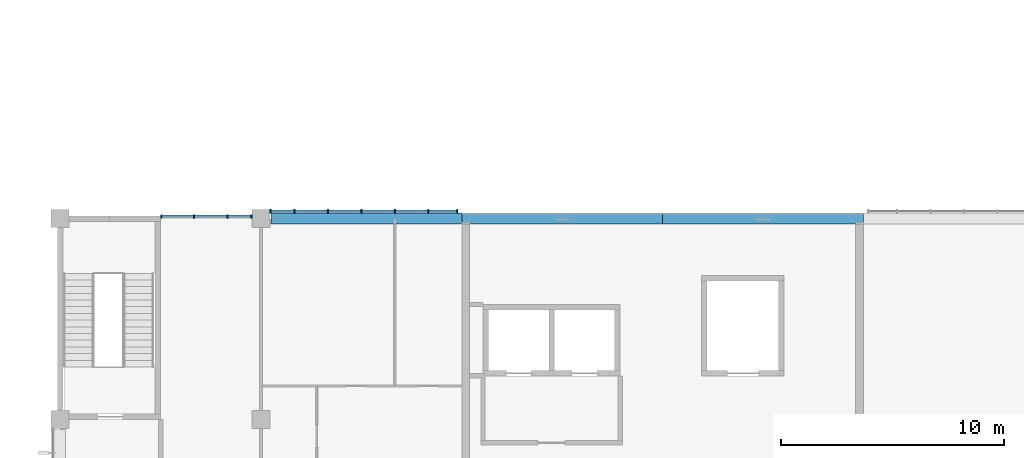
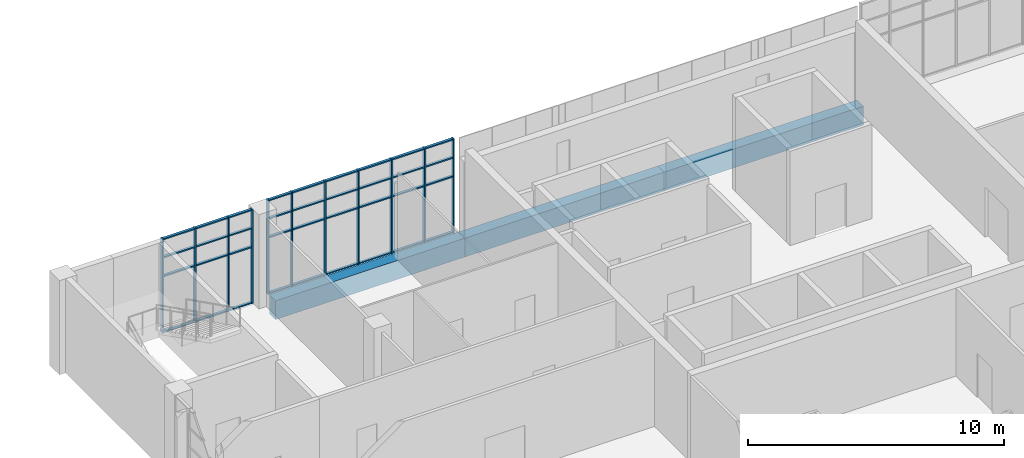
# One storey, part 12 of 40: 47 members, 3 beams, 2 elements without a shape of their own.
"""IFC4 building model written with IfcOpenShell, lengths in metres."""

from ifc_helpers import new_model, si_unit, direction, frame, origin, origin_2d, place, context, subcontext, project, spatial, rectangle, extrude, material, layer, layer_set, material_profile, profile_set, type_object, element, aggregate, save


model = new_model("IFC4")

# Units and contexts
model_context = context("Model", 3, precision=1e-05, world=origin(), true_north=direction((0.0, 1.0)))
body_context = subcontext(model_context, "Body", "Model", "MODEL_VIEW")
ifc_project = project(units=[si_unit("LENGTHUNIT", "METRE"), si_unit("AREAUNIT", "SQUARE_METRE"), si_unit("VOLUMEUNIT", "CUBIC_METRE"), si_unit("PLANEANGLEUNIT", "RADIAN"), si_unit("MASSUNIT", "GRAM", prefix="KILO")], contexts=[model_context])

# Site, building, storey
site_placement = place(None, origin())
site = spatial("IfcSite", under=ifc_project, at=site_placement, CompositionType="ELEMENT")
building_placement = place(site_placement, origin())
building = spatial("IfcBuilding", under=site, at=building_placement, Name="Guidao Yard Department Store", CompositionType="ELEMENT")
storey_placement = place(building_placement, frame((0.0, 0.0, 24.0)))
storey = spatial("IfcBuildingStorey", under=building, at=storey_placement, Name="L05", CompositionType="ELEMENT", Elevation=24.0)

# Curtain wall, members
ifc_material_1 = material(Name="Aluminium and glass", Category="aluminium")
ifc_layer = layer(ifc_material_1, 0.159912109375)
ifc_layer_set = layer_set([ifc_layer], Name="Unitised curtain wall CW4 1500 module")
curtain_wall_type = type_object("IfcCurtainWallType", Name="Unitised curtain wall CW4 1500 module", PredefinedType="NOTDEFINED", material=ifc_layer_set)
curtain_wall_1_placement = place(storey_placement, origin())
curtain_wall_1 = element("IfcCurtainWall", 1, at=curtain_wall_1_placement, inside=storey, type_object=curtain_wall_type, Name="Unitised curtain wall", PredefinedType="NOTDEFINED")
ifc_material_2 = material(Name="Aluminium 6063-T5", Category="aluminium")
ifc_material_profile_1 = material_profile(ifc_material_2, rectangle(XDim=0.06005859375, YDim=0.159912109375, at=origin_2d()), Name="Mullion M1 60 x 160 aluminium pressure plate")
ifc_profile_set_1 = profile_set([ifc_material_profile_1], Name="Aluminium 6063-T5")
member_type_1 = type_object("IfcMemberType", Name="Mullion M1 60 x 160 aluminium pressure plate", PredefinedType="MULLION", material=ifc_profile_set_1)
member_1_placement = place(storey_placement, frame((130.530029296875, 27.10009765625, 0.0), z_axis=(0.0, 0.0, 1.0), x_axis=(1.0, 0.0, 0.0)))
member_1 = element("IfcMember", 2, at=member_1_placement, type_object=member_type_1, Name="CW-OW-L05-06 mullion 1", PredefinedType="MULLION", context=body_context, shape_type="SweptSolid", body=[
    extrude(rectangle(XDim=0.06005859375, YDim=0.159912109375, at=origin_2d()), origin(), (0.0, 0.0, 1.0), 4.5),
])
member_2_placement = place(storey_placement, frame((132.0, 27.10009765625, 0.0), z_axis=(0.0, 0.0, 1.0), x_axis=(1.0, 0.0, 0.0)))
member_2 = element("IfcMember", 3, at=member_2_placement, type_object=member_type_1, Name="CW-OW-L05-06 mullion 2", PredefinedType="MULLION", context=body_context, shape_type="SweptSolid", body=[
    extrude(rectangle(XDim=0.06005859375, YDim=0.159912109375, at=origin_2d()), origin(), (0.0, 0.0, 1.0), 4.5),
])
member_3_placement = place(storey_placement, frame((133.5, 27.10009765625, 0.0), z_axis=(0.0, 0.0, 1.0), x_axis=(1.0, 0.0, 0.0)))
member_3 = element("IfcMember", 4, at=member_3_placement, type_object=member_type_1, Name="CW-OW-L05-06 mullion 3", PredefinedType="MULLION", context=body_context, shape_type="SweptSolid", body=[
    extrude(rectangle(XDim=0.06005859375, YDim=0.159912109375, at=origin_2d()), origin(), (0.0, 0.0, 1.0), 4.5),
])
member_4_placement = place(storey_placement, frame((134.570068359375, 27.10009765625, 0.0), z_axis=(0.0, 0.0, 1.0), x_axis=(1.0, 0.0, 0.0)))
member_4 = element("IfcMember", 5, at=member_4_placement, type_object=member_type_1, Name="CW-OW-L05-06 mullion 4", PredefinedType="MULLION", context=body_context, shape_type="SweptSolid", body=[
    extrude(rectangle(XDim=0.06005859375, YDim=0.159912109375, at=origin_2d()), origin(), (0.0, 0.0, 1.0), 4.5),
])

curtain_wall_2_placement = place(storey_placement, origin())
curtain_wall_2 = element("IfcCurtainWall", 6, at=curtain_wall_2_placement, inside=storey, type_object=curtain_wall_type, Name="Unitised curtain wall", PredefinedType="NOTDEFINED")
member_5_placement = place(storey_placement, frame((135.429931640625, 27.330078125, 0.0), z_axis=(0.0, 0.0, 1.0), x_axis=(1.0, 0.0, 0.0)))
member_5 = element("IfcMember", 7, at=member_5_placement, type_object=member_type_1, Name="CW-OW-L05-07 mullion 1", PredefinedType="MULLION", context=body_context, shape_type="SweptSolid", body=[
    extrude(rectangle(XDim=0.06005859375, YDim=0.159912109375, at=origin_2d()), origin(), (0.0, 0.0, 1.0), 4.5),
])
member_6_placement = place(storey_placement, frame((136.5, 27.330078125, 0.0), z_axis=(0.0, 0.0, 1.0), x_axis=(1.0, 0.0, 0.0)))
member_6 = element("IfcMember", 8, at=member_6_placement, type_object=member_type_1, Name="CW-OW-L05-07 mullion 2", PredefinedType="MULLION", context=body_context, shape_type="SweptSolid", body=[
    extrude(rectangle(XDim=0.06005859375, YDim=0.159912109375, at=origin_2d()), origin(), (0.0, 0.0, 1.0), 4.5),
])
member_7_placement = place(storey_placement, frame((138.0, 27.330078125, 0.0), z_axis=(0.0, 0.0, 1.0), x_axis=(1.0, 0.0, 0.0)))
member_7 = element("IfcMember", 9, at=member_7_placement, type_object=member_type_1, Name="CW-OW-L05-07 mullion 3", PredefinedType="MULLION", context=body_context, shape_type="SweptSolid", body=[
    extrude(rectangle(XDim=0.06005859375, YDim=0.159912109375, at=origin_2d()), origin(), (0.0, 0.0, 1.0), 4.5),
])
member_8_placement = place(storey_placement, frame((139.5, 27.330078125, 0.0), z_axis=(0.0, 0.0, 1.0), x_axis=(1.0, 0.0, 0.0)))
member_8 = element("IfcMember", 10, at=member_8_placement, type_object=member_type_1, Name="CW-OW-L05-07 mullion 4", PredefinedType="MULLION", context=body_context, shape_type="SweptSolid", body=[
    extrude(rectangle(XDim=0.06005859375, YDim=0.159912109375, at=origin_2d()), origin(), (0.0, 0.0, 1.0), 4.5),
])
member_9_placement = place(storey_placement, frame((141.0, 27.330078125, 0.0), z_axis=(0.0, 0.0, 1.0), x_axis=(1.0, 0.0, 0.0)))
member_9 = element("IfcMember", 11, at=member_9_placement, type_object=member_type_1, Name="CW-OW-L05-07 mullion 5", PredefinedType="MULLION", context=body_context, shape_type="SweptSolid", body=[
    extrude(rectangle(XDim=0.06005859375, YDim=0.159912109375, at=origin_2d()), origin(), (0.0, 0.0, 1.0), 4.5),
])
member_10_placement = place(storey_placement, frame((142.5, 27.330078125, 0.0), z_axis=(0.0, 0.0, 1.0), x_axis=(1.0, 0.0, 0.0)))
member_10 = element("IfcMember", 12, at=member_10_placement, type_object=member_type_1, Name="CW-OW-L05-07 mullion 6", PredefinedType="MULLION", context=body_context, shape_type="SweptSolid", body=[
    extrude(rectangle(XDim=0.06005859375, YDim=0.159912109375, at=origin_2d()), origin(), (0.0, 0.0, 1.0), 4.5),
])
member_11_placement = place(storey_placement, frame((143.794921875, 27.330078125, 0.0), z_axis=(0.0, 0.0, 1.0), x_axis=(1.0, 0.0, 0.0)))
member_11 = element("IfcMember", 13, at=member_11_placement, type_object=member_type_1, Name="CW-OW-L05-07 mullion 7", PredefinedType="MULLION", context=body_context, shape_type="SweptSolid", body=[
    extrude(rectangle(XDim=0.06005859375, YDim=0.159912109375, at=origin_2d()), origin(), (0.0, 0.0, 1.0), 4.5),
])

# Beams
ifc_material_3 = material(Name="Concrete C40", Category="concrete")
ifc_material_profile_2 = material_profile(ifc_material_3, rectangle(XDim=0.5, YDim=0.89990234375, at=origin_2d()), Name="Spandrel beam 500 x 900 C40")
ifc_profile_set_2 = profile_set([ifc_material_profile_2], Name="Concrete C40")
beam_type = type_object("IfcBeamType", Name="Spandrel beam 500 x 900 C40", PredefinedType="SPANDREL", material=ifc_profile_set_2)
beam_placement = place(storey_placement, frame((135.449951171875, 27.0, -0.449951171875), z_axis=(1.0, 0.0, 0.0), x_axis=(0.0, 1.0, 0.0)))
element("IfcBeam", 14, at=beam_placement, inside=storey, type_object=beam_type, Name="Beam FB05", PredefinedType="SPANDREL", context=body_context, shape_type="SweptSolid", body=[
    extrude(rectangle(XDim=0.5, YDim=0.89990234375, at=origin_2d()), origin(), (0.0, 0.0, 1.0), 8.550048828125),
])
for number, where, z_axis, x_axis, name in (
    (15, (144.0, 27.0, -0.449951171875), (1.0, 0.0, 0.0), (0.0, 1.0, 0.0), "Beam FB06"),
    (16, (153.0, 27.0, -0.449951171875), (1.0, 0.0, 0.0), (0.0, 1.0, 0.0), "Beam FB07"),
):
    element("IfcBeam", number, at=place(storey_placement, frame(where, z_axis=z_axis, x_axis=x_axis)), inside=storey, type_object=beam_type, Name=name, PredefinedType="SPANDREL", context=body_context, shape_type="SweptSolid", body=[
        extrude(rectangle(XDim=0.5, YDim=0.89990234375, at=origin_2d()), origin(), (0.0, 0.0, 1.0), 9.0),
    ])

# Member
ifc_material_4 = material(Name="Aluminium 6063-T5", Category="aluminium")
ifc_material_profile_3 = material_profile(ifc_material_4, rectangle(XDim=0.1201171875, YDim=0.06005859375, at=origin_2d()), Name="Transom T1 60 x 120 aluminium pressure plate")
ifc_profile_set_3 = profile_set([ifc_material_profile_3], Name="Aluminium 6063-T5")
member_type_2 = type_object("IfcMemberType", Name="Transom T1 60 x 120 aluminium pressure plate", PredefinedType="USERDEFINED", material=ifc_profile_set_3)
member_12_placement = place(storey_placement, frame((130.56005859375, 27.10009765625, 0.030029296875), z_axis=(1.0, 0.0, 0.0), x_axis=(0.0, 1.0, 0.0)))
member_12 = element("IfcMember", 17, at=member_12_placement, type_object=member_type_2, Name="CW-OW-L05-06 transom 1.1", ObjectType="TRANSOM", PredefinedType="USERDEFINED", context=body_context, shape_type="SweptSolid", body=[
    extrude(rectangle(XDim=0.1201171875, YDim=0.06005859375, at=origin_2d()), origin(), (0.0, 0.0, 1.0), 1.409912109375),
])

member_13_placement = place(storey_placement, frame((130.56005859375, 27.10009765625, 2.699951171875), z_axis=(1.0, 0.0, 0.0), x_axis=(0.0, 1.0, 0.0)))
member_13 = element("IfcMember", 18, at=member_13_placement, type_object=member_type_2, Name="CW-OW-L05-06 transom 1.2", ObjectType="TRANSOM", PredefinedType="USERDEFINED", context=body_context, shape_type="SweptSolid", body=[
    extrude(rectangle(XDim=0.1201171875, YDim=0.06005859375, at=origin_2d()), origin(), (0.0, 0.0, 1.0), 1.409912109375),
])

member_14_placement = place(storey_placement, frame((130.56005859375, 27.10009765625, 3.60009765625), z_axis=(1.0, 0.0, 0.0), x_axis=(0.0, 1.0, 0.0)))
member_14 = element("IfcMember", 19, at=member_14_placement, type_object=member_type_2, Name="CW-OW-L05-06 transom 1.3", ObjectType="TRANSOM", PredefinedType="USERDEFINED", context=body_context, shape_type="SweptSolid", body=[
    extrude(rectangle(XDim=0.1201171875, YDim=0.06005859375, at=origin_2d()), origin(), (0.0, 0.0, 1.0), 1.409912109375),
])

member_15_placement = place(storey_placement, frame((130.56005859375, 27.10009765625, 4.469970703125), z_axis=(1.0, 0.0, 0.0), x_axis=(0.0, 1.0, 0.0)))
member_15 = element("IfcMember", 20, at=member_15_placement, type_object=member_type_2, Name="CW-OW-L05-06 transom 1.4", ObjectType="TRANSOM", PredefinedType="USERDEFINED", context=body_context, shape_type="SweptSolid", body=[
    extrude(rectangle(XDim=0.1201171875, YDim=0.06005859375, at=origin_2d()), origin(), (0.0, 0.0, 1.0), 1.409912109375),
])

member_16_placement = place(storey_placement, frame((132.030029296875, 27.10009765625, 0.030029296875), z_axis=(1.0, 0.0, 0.0), x_axis=(0.0, 1.0, 0.0)))
member_16 = element("IfcMember", 21, at=member_16_placement, type_object=member_type_2, Name="CW-OW-L05-06 transom 2.1", ObjectType="TRANSOM", PredefinedType="USERDEFINED", context=body_context, shape_type="SweptSolid", body=[
    extrude(rectangle(XDim=0.1201171875, YDim=0.06005859375, at=origin_2d()), origin(), (0.0, 0.0, 1.0), 1.43994140625),
])

member_17_placement = place(storey_placement, frame((132.030029296875, 27.10009765625, 2.699951171875), z_axis=(1.0, 0.0, 0.0), x_axis=(0.0, 1.0, 0.0)))
member_17 = element("IfcMember", 22, at=member_17_placement, type_object=member_type_2, Name="CW-OW-L05-06 transom 2.2", ObjectType="TRANSOM", PredefinedType="USERDEFINED", context=body_context, shape_type="SweptSolid", body=[
    extrude(rectangle(XDim=0.1201171875, YDim=0.06005859375, at=origin_2d()), origin(), (0.0, 0.0, 1.0), 1.43994140625),
])

member_18_placement = place(storey_placement, frame((132.030029296875, 27.10009765625, 3.60009765625), z_axis=(1.0, 0.0, 0.0), x_axis=(0.0, 1.0, 0.0)))
member_18 = element("IfcMember", 23, at=member_18_placement, type_object=member_type_2, Name="CW-OW-L05-06 transom 2.3", ObjectType="TRANSOM", PredefinedType="USERDEFINED", context=body_context, shape_type="SweptSolid", body=[
    extrude(rectangle(XDim=0.1201171875, YDim=0.06005859375, at=origin_2d()), origin(), (0.0, 0.0, 1.0), 1.43994140625),
])

member_19_placement = place(storey_placement, frame((132.030029296875, 27.10009765625, 4.469970703125), z_axis=(1.0, 0.0, 0.0), x_axis=(0.0, 1.0, 0.0)))
member_19 = element("IfcMember", 24, at=member_19_placement, type_object=member_type_2, Name="CW-OW-L05-06 transom 2.4", ObjectType="TRANSOM", PredefinedType="USERDEFINED", context=body_context, shape_type="SweptSolid", body=[
    extrude(rectangle(XDim=0.1201171875, YDim=0.06005859375, at=origin_2d()), origin(), (0.0, 0.0, 1.0), 1.43994140625),
])

member_20_placement = place(storey_placement, frame((133.530029296875, 27.10009765625, 0.030029296875), z_axis=(1.0, 0.0, 0.0), x_axis=(0.0, 1.0, 0.0)))
member_20 = element("IfcMember", 25, at=member_20_placement, type_object=member_type_2, Name="CW-OW-L05-06 transom 3.1", ObjectType="TRANSOM", PredefinedType="USERDEFINED", context=body_context, shape_type="SweptSolid", body=[
    extrude(rectangle(XDim=0.1201171875, YDim=0.06005859375, at=origin_2d()), origin(), (0.0, 0.0, 1.0), 1.010009765625),
])

member_21_placement = place(storey_placement, frame((133.530029296875, 27.10009765625, 2.699951171875), z_axis=(1.0, 0.0, 0.0), x_axis=(0.0, 1.0, 0.0)))
member_21 = element("IfcMember", 26, at=member_21_placement, type_object=member_type_2, Name="CW-OW-L05-06 transom 3.2", ObjectType="TRANSOM", PredefinedType="USERDEFINED", context=body_context, shape_type="SweptSolid", body=[
    extrude(rectangle(XDim=0.1201171875, YDim=0.06005859375, at=origin_2d()), origin(), (0.0, 0.0, 1.0), 1.010009765625),
])

member_22_placement = place(storey_placement, frame((133.530029296875, 27.10009765625, 3.60009765625), z_axis=(1.0, 0.0, 0.0), x_axis=(0.0, 1.0, 0.0)))
member_22 = element("IfcMember", 27, at=member_22_placement, type_object=member_type_2, Name="CW-OW-L05-06 transom 3.3", ObjectType="TRANSOM", PredefinedType="USERDEFINED", context=body_context, shape_type="SweptSolid", body=[
    extrude(rectangle(XDim=0.1201171875, YDim=0.06005859375, at=origin_2d()), origin(), (0.0, 0.0, 1.0), 1.010009765625),
])

member_23_placement = place(storey_placement, frame((133.530029296875, 27.10009765625, 4.469970703125), z_axis=(1.0, 0.0, 0.0), x_axis=(0.0, 1.0, 0.0)))
member_23 = element("IfcMember", 28, at=member_23_placement, type_object=member_type_2, Name="CW-OW-L05-06 transom 3.4", ObjectType="TRANSOM", PredefinedType="USERDEFINED", context=body_context, shape_type="SweptSolid", body=[
    extrude(rectangle(XDim=0.1201171875, YDim=0.06005859375, at=origin_2d()), origin(), (0.0, 0.0, 1.0), 1.010009765625),
])

aggregate(curtain_wall_1, [member_1, member_2, member_3, member_4, member_12, member_13, member_14, member_15, member_16, member_17, member_18, member_19, member_20, member_21, member_22, member_23])

member_24_placement = place(storey_placement, frame((135.4599609375, 27.330078125, 0.030029296875), z_axis=(1.0, 0.0, 0.0), x_axis=(0.0, 1.0, 0.0)))
member_24 = element("IfcMember", 29, at=member_24_placement, type_object=member_type_2, Name="CW-OW-L05-07 transom 1.1", ObjectType="TRANSOM", PredefinedType="USERDEFINED", context=body_context, shape_type="SweptSolid", body=[
    extrude(rectangle(XDim=0.1201171875, YDim=0.06005859375, at=origin_2d()), origin(), (0.0, 0.0, 1.0), 1.010009765625),
])

member_25_placement = place(storey_placement, frame((135.4599609375, 27.330078125, 2.699951171875), z_axis=(1.0, 0.0, 0.0), x_axis=(0.0, 1.0, 0.0)))
member_25 = element("IfcMember", 30, at=member_25_placement, type_object=member_type_2, Name="CW-OW-L05-07 transom 1.2", ObjectType="TRANSOM", PredefinedType="USERDEFINED", context=body_context, shape_type="SweptSolid", body=[
    extrude(rectangle(XDim=0.1201171875, YDim=0.06005859375, at=origin_2d()), origin(), (0.0, 0.0, 1.0), 1.010009765625),
])

member_26_placement = place(storey_placement, frame((135.4599609375, 27.330078125, 3.60009765625), z_axis=(1.0, 0.0, 0.0), x_axis=(0.0, 1.0, 0.0)))
member_26 = element("IfcMember", 31, at=member_26_placement, type_object=member_type_2, Name="CW-OW-L05-07 transom 1.3", ObjectType="TRANSOM", PredefinedType="USERDEFINED", context=body_context, shape_type="SweptSolid", body=[
    extrude(rectangle(XDim=0.1201171875, YDim=0.06005859375, at=origin_2d()), origin(), (0.0, 0.0, 1.0), 1.010009765625),
])

member_27_placement = place(storey_placement, frame((135.4599609375, 27.330078125, 4.469970703125), z_axis=(1.0, 0.0, 0.0), x_axis=(0.0, 1.0, 0.0)))
member_27 = element("IfcMember", 32, at=member_27_placement, type_object=member_type_2, Name="CW-OW-L05-07 transom 1.4", ObjectType="TRANSOM", PredefinedType="USERDEFINED", context=body_context, shape_type="SweptSolid", body=[
    extrude(rectangle(XDim=0.1201171875, YDim=0.06005859375, at=origin_2d()), origin(), (0.0, 0.0, 1.0), 1.010009765625),
])

member_28_placement = place(storey_placement, frame((136.530029296875, 27.330078125, 0.030029296875), z_axis=(1.0, 0.0, 0.0), x_axis=(0.0, 1.0, 0.0)))
member_28 = element("IfcMember", 33, at=member_28_placement, type_object=member_type_2, Name="CW-OW-L05-07 transom 2.1", ObjectType="TRANSOM", PredefinedType="USERDEFINED", context=body_context, shape_type="SweptSolid", body=[
    extrude(rectangle(XDim=0.1201171875, YDim=0.06005859375, at=origin_2d()), origin(), (0.0, 0.0, 1.0), 1.43994140625),
])

member_29_placement = place(storey_placement, frame((136.530029296875, 27.330078125, 2.699951171875), z_axis=(1.0, 0.0, 0.0), x_axis=(0.0, 1.0, 0.0)))
member_29 = element("IfcMember", 34, at=member_29_placement, type_object=member_type_2, Name="CW-OW-L05-07 transom 2.2", ObjectType="TRANSOM", PredefinedType="USERDEFINED", context=body_context, shape_type="SweptSolid", body=[
    extrude(rectangle(XDim=0.1201171875, YDim=0.06005859375, at=origin_2d()), origin(), (0.0, 0.0, 1.0), 1.43994140625),
])

member_30_placement = place(storey_placement, frame((136.530029296875, 27.330078125, 3.60009765625), z_axis=(1.0, 0.0, 0.0), x_axis=(0.0, 1.0, 0.0)))
member_30 = element("IfcMember", 35, at=member_30_placement, type_object=member_type_2, Name="CW-OW-L05-07 transom 2.3", ObjectType="TRANSOM", PredefinedType="USERDEFINED", context=body_context, shape_type="SweptSolid", body=[
    extrude(rectangle(XDim=0.1201171875, YDim=0.06005859375, at=origin_2d()), origin(), (0.0, 0.0, 1.0), 1.43994140625),
])

member_31_placement = place(storey_placement, frame((136.530029296875, 27.330078125, 4.469970703125), z_axis=(1.0, 0.0, 0.0), x_axis=(0.0, 1.0, 0.0)))
member_31 = element("IfcMember", 36, at=member_31_placement, type_object=member_type_2, Name="CW-OW-L05-07 transom 2.4", ObjectType="TRANSOM", PredefinedType="USERDEFINED", context=body_context, shape_type="SweptSolid", body=[
    extrude(rectangle(XDim=0.1201171875, YDim=0.06005859375, at=origin_2d()), origin(), (0.0, 0.0, 1.0), 1.43994140625),
])

member_32_placement = place(storey_placement, frame((138.030029296875, 27.330078125, 0.030029296875), z_axis=(1.0, 0.0, 0.0), x_axis=(0.0, 1.0, 0.0)))
member_32 = element("IfcMember", 37, at=member_32_placement, type_object=member_type_2, Name="CW-OW-L05-07 transom 3.1", ObjectType="TRANSOM", PredefinedType="USERDEFINED", context=body_context, shape_type="SweptSolid", body=[
    extrude(rectangle(XDim=0.1201171875, YDim=0.06005859375, at=origin_2d()), origin(), (0.0, 0.0, 1.0), 1.43994140625),
])

member_33_placement = place(storey_placement, frame((138.030029296875, 27.330078125, 2.699951171875), z_axis=(1.0, 0.0, 0.0), x_axis=(0.0, 1.0, 0.0)))
member_33 = element("IfcMember", 38, at=member_33_placement, type_object=member_type_2, Name="CW-OW-L05-07 transom 3.2", ObjectType="TRANSOM", PredefinedType="USERDEFINED", context=body_context, shape_type="SweptSolid", body=[
    extrude(rectangle(XDim=0.1201171875, YDim=0.06005859375, at=origin_2d()), origin(), (0.0, 0.0, 1.0), 1.43994140625),
])

member_34_placement = place(storey_placement, frame((138.030029296875, 27.330078125, 3.60009765625), z_axis=(1.0, 0.0, 0.0), x_axis=(0.0, 1.0, 0.0)))
member_34 = element("IfcMember", 39, at=member_34_placement, type_object=member_type_2, Name="CW-OW-L05-07 transom 3.3", ObjectType="TRANSOM", PredefinedType="USERDEFINED", context=body_context, shape_type="SweptSolid", body=[
    extrude(rectangle(XDim=0.1201171875, YDim=0.06005859375, at=origin_2d()), origin(), (0.0, 0.0, 1.0), 1.43994140625),
])

member_35_placement = place(storey_placement, frame((138.030029296875, 27.330078125, 4.469970703125), z_axis=(1.0, 0.0, 0.0), x_axis=(0.0, 1.0, 0.0)))
member_35 = element("IfcMember", 40, at=member_35_placement, type_object=member_type_2, Name="CW-OW-L05-07 transom 3.4", ObjectType="TRANSOM", PredefinedType="USERDEFINED", context=body_context, shape_type="SweptSolid", body=[
    extrude(rectangle(XDim=0.1201171875, YDim=0.06005859375, at=origin_2d()), origin(), (0.0, 0.0, 1.0), 1.43994140625),
])

member_36_placement = place(storey_placement, frame((139.530029296875, 27.330078125, 0.030029296875), z_axis=(1.0, 0.0, 0.0), x_axis=(0.0, 1.0, 0.0)))
member_36 = element("IfcMember", 41, at=member_36_placement, type_object=member_type_2, Name="CW-OW-L05-07 transom 4.1", ObjectType="TRANSOM", PredefinedType="USERDEFINED", context=body_context, shape_type="SweptSolid", body=[
    extrude(rectangle(XDim=0.1201171875, YDim=0.06005859375, at=origin_2d()), origin(), (0.0, 0.0, 1.0), 1.43994140625),
])

member_37_placement = place(storey_placement, frame((139.530029296875, 27.330078125, 2.699951171875), z_axis=(1.0, 0.0, 0.0), x_axis=(0.0, 1.0, 0.0)))
member_37 = element("IfcMember", 42, at=member_37_placement, type_object=member_type_2, Name="CW-OW-L05-07 transom 4.2", ObjectType="TRANSOM", PredefinedType="USERDEFINED", context=body_context, shape_type="SweptSolid", body=[
    extrude(rectangle(XDim=0.1201171875, YDim=0.06005859375, at=origin_2d()), origin(), (0.0, 0.0, 1.0), 1.43994140625),
])

member_38_placement = place(storey_placement, frame((139.530029296875, 27.330078125, 3.60009765625), z_axis=(1.0, 0.0, 0.0), x_axis=(0.0, 1.0, 0.0)))
member_38 = element("IfcMember", 43, at=member_38_placement, type_object=member_type_2, Name="CW-OW-L05-07 transom 4.3", ObjectType="TRANSOM", PredefinedType="USERDEFINED", context=body_context, shape_type="SweptSolid", body=[
    extrude(rectangle(XDim=0.1201171875, YDim=0.06005859375, at=origin_2d()), origin(), (0.0, 0.0, 1.0), 1.43994140625),
])

member_39_placement = place(storey_placement, frame((139.530029296875, 27.330078125, 4.469970703125), z_axis=(1.0, 0.0, 0.0), x_axis=(0.0, 1.0, 0.0)))
member_39 = element("IfcMember", 44, at=member_39_placement, type_object=member_type_2, Name="CW-OW-L05-07 transom 4.4", ObjectType="TRANSOM", PredefinedType="USERDEFINED", context=body_context, shape_type="SweptSolid", body=[
    extrude(rectangle(XDim=0.1201171875, YDim=0.06005859375, at=origin_2d()), origin(), (0.0, 0.0, 1.0), 1.43994140625),
])

member_40_placement = place(storey_placement, frame((141.030029296875, 27.330078125, 0.030029296875), z_axis=(1.0, 0.0, 0.0), x_axis=(0.0, 1.0, 0.0)))
member_40 = element("IfcMember", 45, at=member_40_placement, type_object=member_type_2, Name="CW-OW-L05-07 transom 5.1", ObjectType="TRANSOM", PredefinedType="USERDEFINED", context=body_context, shape_type="SweptSolid", body=[
    extrude(rectangle(XDim=0.1201171875, YDim=0.06005859375, at=origin_2d()), origin(), (0.0, 0.0, 1.0), 1.43994140625),
])

member_41_placement = place(storey_placement, frame((141.030029296875, 27.330078125, 2.699951171875), z_axis=(1.0, 0.0, 0.0), x_axis=(0.0, 1.0, 0.0)))
member_41 = element("IfcMember", 46, at=member_41_placement, type_object=member_type_2, Name="CW-OW-L05-07 transom 5.2", ObjectType="TRANSOM", PredefinedType="USERDEFINED", context=body_context, shape_type="SweptSolid", body=[
    extrude(rectangle(XDim=0.1201171875, YDim=0.06005859375, at=origin_2d()), origin(), (0.0, 0.0, 1.0), 1.43994140625),
])

member_42_placement = place(storey_placement, frame((141.030029296875, 27.330078125, 3.60009765625), z_axis=(1.0, 0.0, 0.0), x_axis=(0.0, 1.0, 0.0)))
member_42 = element("IfcMember", 47, at=member_42_placement, type_object=member_type_2, Name="CW-OW-L05-07 transom 5.3", ObjectType="TRANSOM", PredefinedType="USERDEFINED", context=body_context, shape_type="SweptSolid", body=[
    extrude(rectangle(XDim=0.1201171875, YDim=0.06005859375, at=origin_2d()), origin(), (0.0, 0.0, 1.0), 1.43994140625),
])

member_43_placement = place(storey_placement, frame((141.030029296875, 27.330078125, 4.469970703125), z_axis=(1.0, 0.0, 0.0), x_axis=(0.0, 1.0, 0.0)))
member_43 = element("IfcMember", 48, at=member_43_placement, type_object=member_type_2, Name="CW-OW-L05-07 transom 5.4", ObjectType="TRANSOM", PredefinedType="USERDEFINED", context=body_context, shape_type="SweptSolid", body=[
    extrude(rectangle(XDim=0.1201171875, YDim=0.06005859375, at=origin_2d()), origin(), (0.0, 0.0, 1.0), 1.43994140625),
])

member_44_placement = place(storey_placement, frame((142.530029296875, 27.330078125, 0.030029296875), z_axis=(1.0, 0.0, 0.0), x_axis=(0.0, 1.0, 0.0)))
member_44 = element("IfcMember", 49, at=member_44_placement, type_object=member_type_2, Name="CW-OW-L05-07 transom 6.1", ObjectType="TRANSOM", PredefinedType="USERDEFINED", context=body_context, shape_type="SweptSolid", body=[
    extrude(rectangle(XDim=0.1201171875, YDim=0.06005859375, at=origin_2d()), origin(), (0.0, 0.0, 1.0), 1.23486328125),
])

member_45_placement = place(storey_placement, frame((142.530029296875, 27.330078125, 2.699951171875), z_axis=(1.0, 0.0, 0.0), x_axis=(0.0, 1.0, 0.0)))
member_45 = element("IfcMember", 50, at=member_45_placement, type_object=member_type_2, Name="CW-OW-L05-07 transom 6.2", ObjectType="TRANSOM", PredefinedType="USERDEFINED", context=body_context, shape_type="SweptSolid", body=[
    extrude(rectangle(XDim=0.1201171875, YDim=0.06005859375, at=origin_2d()), origin(), (0.0, 0.0, 1.0), 1.23486328125),
])

member_46_placement = place(storey_placement, frame((142.530029296875, 27.330078125, 3.60009765625), z_axis=(1.0, 0.0, 0.0), x_axis=(0.0, 1.0, 0.0)))
member_46 = element("IfcMember", 51, at=member_46_placement, type_object=member_type_2, Name="CW-OW-L05-07 transom 6.3", ObjectType="TRANSOM", PredefinedType="USERDEFINED", context=body_context, shape_type="SweptSolid", body=[
    extrude(rectangle(XDim=0.1201171875, YDim=0.06005859375, at=origin_2d()), origin(), (0.0, 0.0, 1.0), 1.23486328125),
])

member_47_placement = place(storey_placement, frame((142.530029296875, 27.330078125, 4.469970703125), z_axis=(1.0, 0.0, 0.0), x_axis=(0.0, 1.0, 0.0)))
member_47 = element("IfcMember", 52, at=member_47_placement, type_object=member_type_2, Name="CW-OW-L05-07 transom 6.4", ObjectType="TRANSOM", PredefinedType="USERDEFINED", context=body_context, shape_type="SweptSolid", body=[
    extrude(rectangle(XDim=0.1201171875, YDim=0.06005859375, at=origin_2d()), origin(), (0.0, 0.0, 1.0), 1.23486328125),
])

aggregate(curtain_wall_2, [member_5, member_6, member_7, member_8, member_9, member_10, member_11, member_24, member_25, member_26, member_27, member_28, member_29, member_30, member_31, member_32, member_33, member_34, member_35, member_36, member_37, member_38, member_39, member_40, member_41, member_42, member_43, member_44, member_45, member_46, member_47])

save(model, "model.ifc")
